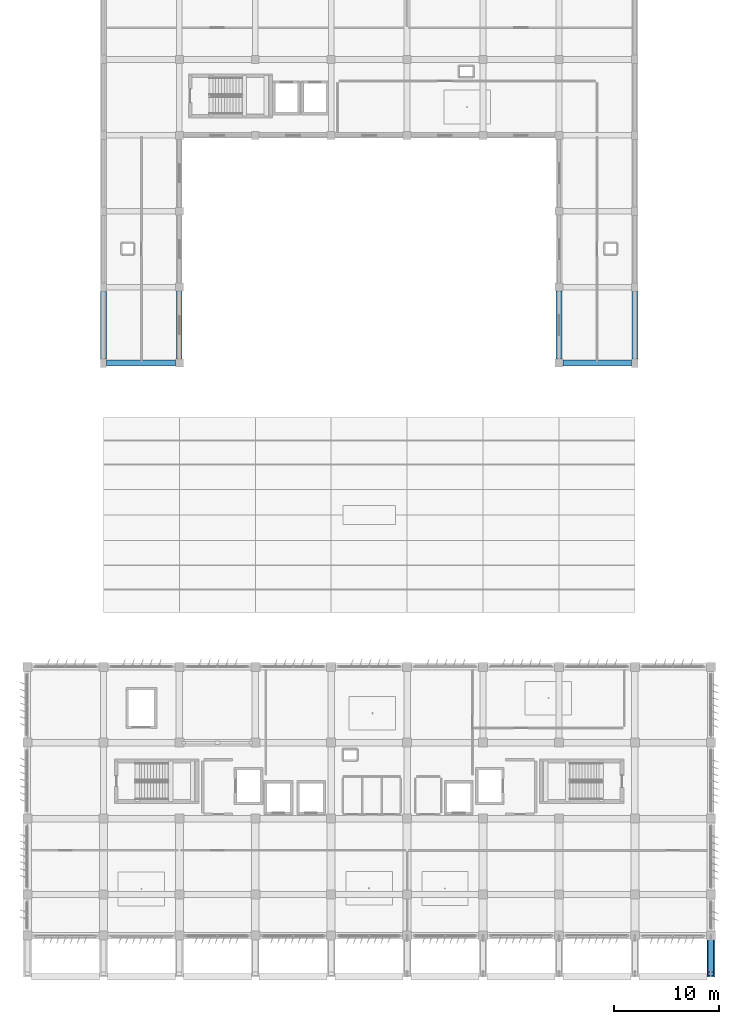
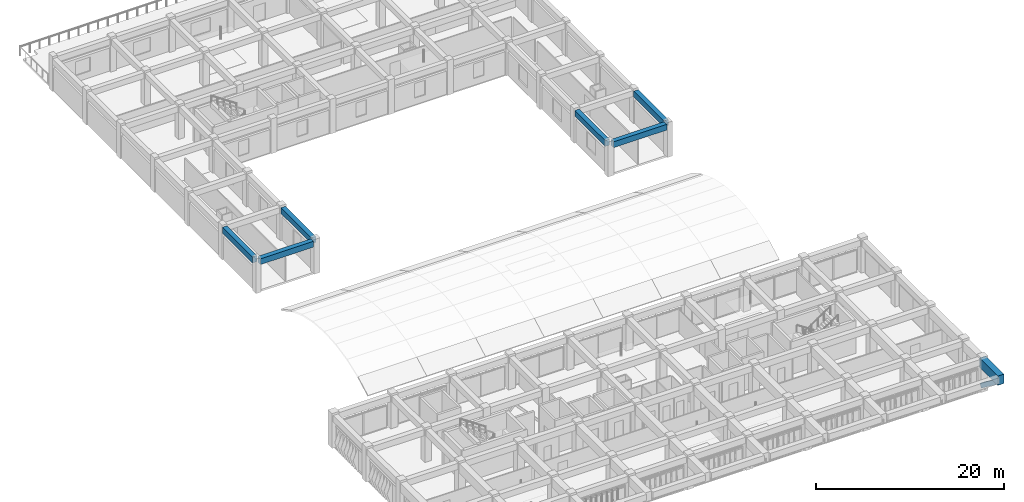
# One storey, part 27 of 56: 7 beams, 1 member.
"""IFC4 building model written with IfcOpenShell, lengths in metres."""

from ifc_helpers import new_model, si_unit, direction, frame, origin, origin_2d, place, context, subcontext, project, spatial, rectangle, extrude, material, material_profile, profile_set, type_object, element, save


model = new_model("IFC4")

# Units and contexts
model_context = context("Model", 3, precision=1e-05, world=origin(), true_north=direction((0.0, 1.0)))
body_context = subcontext(model_context, "Body", "Model", "MODEL_VIEW")
ifc_project = project(units=[si_unit("LENGTHUNIT", "METRE"), si_unit("AREAUNIT", "SQUARE_METRE"), si_unit("VOLUMEUNIT", "CUBIC_METRE"), si_unit("PLANEANGLEUNIT", "RADIAN"), si_unit("MASSUNIT", "GRAM", prefix="KILO")], contexts=[model_context])

# Site, building, storey
site_placement = place(None, origin())
site = spatial("IfcSite", under=ifc_project, at=site_placement, CompositionType="ELEMENT")
building_placement = place(site_placement, origin())
building = spatial("IfcBuilding", under=site, at=building_placement, Name="Kazehaya Institute of Natural Sciences", CompositionType="ELEMENT")
storey_placement = place(building_placement, frame((0.0, 0.0, 24.300048828125)))
storey = spatial("IfcBuildingStorey", under=building, at=storey_placement, Name="L05", CompositionType="ELEMENT", Elevation=24.300048828125)

# Beams
ifc_material_1 = material(Name="Concrete Fc36", Category="concrete")
ifc_material_profile_1 = material_profile(ifc_material_1, rectangle(XDim=0.550048828125, YDim=0.75, at=origin_2d()), Name="RC-550x750")
ifc_profile_set_1 = profile_set([ifc_material_profile_1], Name="Concrete Fc36")
beam_type_1 = type_object("IfcBeamType", Name="BM-G-550x750", PredefinedType="BEAM", material=ifc_profile_set_1)
for number, where, z_axis, x_axis, name in (
    (1, (62.10009765625, 64.39990234375, 3.85498046875), (1.0, 0.0, 0.0), (0.0, 1.0, 0.0), "L05 primary X girder BMX-L05-618-644"),
    (2, (105.375, 64.39990234375, 3.85498046875), (1.0, 0.0, 0.0), (0.0, 1.0, 0.0), "L05 primary X girder BMX-L05-1050-644"),
):
    element("IfcBeam", number, at=place(storey_placement, frame(where, z_axis=z_axis, x_axis=x_axis)), inside=storey, type_object=beam_type_1, Name=name, PredefinedType="BEAM", context=body_context, shape_type="SweptSolid", body=[
        extrude(rectangle(XDim=0.550048828125, YDim=0.75, at=origin_2d()), origin(), (0.0, 0.0, 1.0), 6.52490234375),
    ])
beam_1_placement = place(storey_placement, frame((61.800048828125, 64.800048828125, 3.85498046875), z_axis=(0.0, 1.0, 0.0), x_axis=(-1.0, 0.0, 0.0)))
element("IfcBeam", 3, at=beam_1_placement, inside=storey, type_object=beam_type_1, Name="L05 primary Y girder BMY-L05-618-644", PredefinedType="BEAM", context=body_context, shape_type="SweptSolid", body=[
    extrude(rectangle(XDim=0.550048828125, YDim=0.75, at=origin_2d()), origin(), (0.0, 0.0, 1.0), 6.39990234375),
])
for number, where, z_axis, x_axis, name in (
    (4, (69.0, 64.77490234375, 3.85498046875), (0.0, 1.0, 0.0), (-1.0, 0.0, 0.0), "L05 primary Y girder BMY-L05-690-644"),
    (5, (105.0, 64.77490234375, 3.85498046875), (0.0, 1.0, 0.0), (-1.0, 0.0, 0.0), "L05 primary Y girder BMY-L05-1050-644"),
):
    element("IfcBeam", number, at=place(storey_placement, frame(where, z_axis=z_axis, x_axis=x_axis)), inside=storey, type_object=beam_type_1, Name=name, PredefinedType="BEAM", context=body_context, shape_type="SweptSolid", body=[
        extrude(rectangle(XDim=0.550048828125, YDim=0.75, at=origin_2d()), origin(), (0.0, 0.0, 1.0), 6.4501953125),
    ])
beam_2_placement = place(storey_placement, frame((112.199951171875, 64.800048828125, 3.85498046875), z_axis=(0.0, 1.0, 0.0), x_axis=(-1.0, 0.0, 0.0)))
element("IfcBeam", 6, at=beam_2_placement, inside=storey, type_object=beam_type_1, Name="L05 primary Y girder BMY-L05-1122-644", PredefinedType="BEAM", context=body_context, shape_type="SweptSolid", body=[
    extrude(rectangle(XDim=0.550048828125, YDim=0.75, at=origin_2d()), origin(), (0.0, 0.0, 1.0), 6.39990234375),
])
ifc_material_2 = material(Name="Concrete Fc42", Category="concrete")
ifc_material_profile_2 = material_profile(ifc_material_2, rectangle(XDim=0.75, YDim=1.199951171875, at=origin_2d()), Name="RC-750x1200")
ifc_profile_set_2 = profile_set([ifc_material_profile_2], Name="Concrete Fc42")
beam_type_2 = type_object("IfcBeamType", Name="BM-TG-750x1200", PredefinedType="BEAM", material=ifc_profile_set_2)
beam_3_placement = place(storey_placement, frame((119.39990234375, 6.199951171875, 3.6298828125), z_axis=(0.0, 1.0, 0.0), x_axis=(-1.0, 0.0, 0.0)))
element("IfcBeam", 7, at=beam_3_placement, inside=storey, type_object=beam_type_2, Name="L05 cantilever transfer girder 1769", PredefinedType="BEAM", context=body_context, shape_type="SweptSolid", body=[
    extrude(rectangle(XDim=0.75, YDim=1.199951171875, at=origin_2d()), origin(), (0.0, 0.0, 1.0), 3.900146484375),
])

# Member
ifc_material_profile_3 = material_profile(ifc_material_2, rectangle(XDim=0.5, YDim=0.550048828125, at=origin_2d()), Name="RC-500x550")
ifc_profile_set_3 = profile_set([ifc_material_profile_3], Name="Concrete Fc42")
member_type = type_object("IfcMemberType", Name="MEM-STRUT-RC500", PredefinedType="BRACE", material=ifc_profile_set_3)
member_placement = place(storey_placement, frame((119.39990234375, 10.10009765625, 0.599853515625), z_axis=(0.0, -0.802122938841, 0.597158932768), x_axis=(1.0, 0.0, 0.0)))
element("IfcMember", 8, at=member_placement, inside=storey, type_object=member_type, Name="L05 raked cantilever strut 020", PredefinedType="BRACE", context=body_context, shape_type="SweptSolid", body=[
    extrude(rectangle(XDim=0.5, YDim=0.550048828125, at=origin_2d()), origin(), (0.0, 0.0, 1.0), 4.48828125),
])

save(model, "model.ifc")
